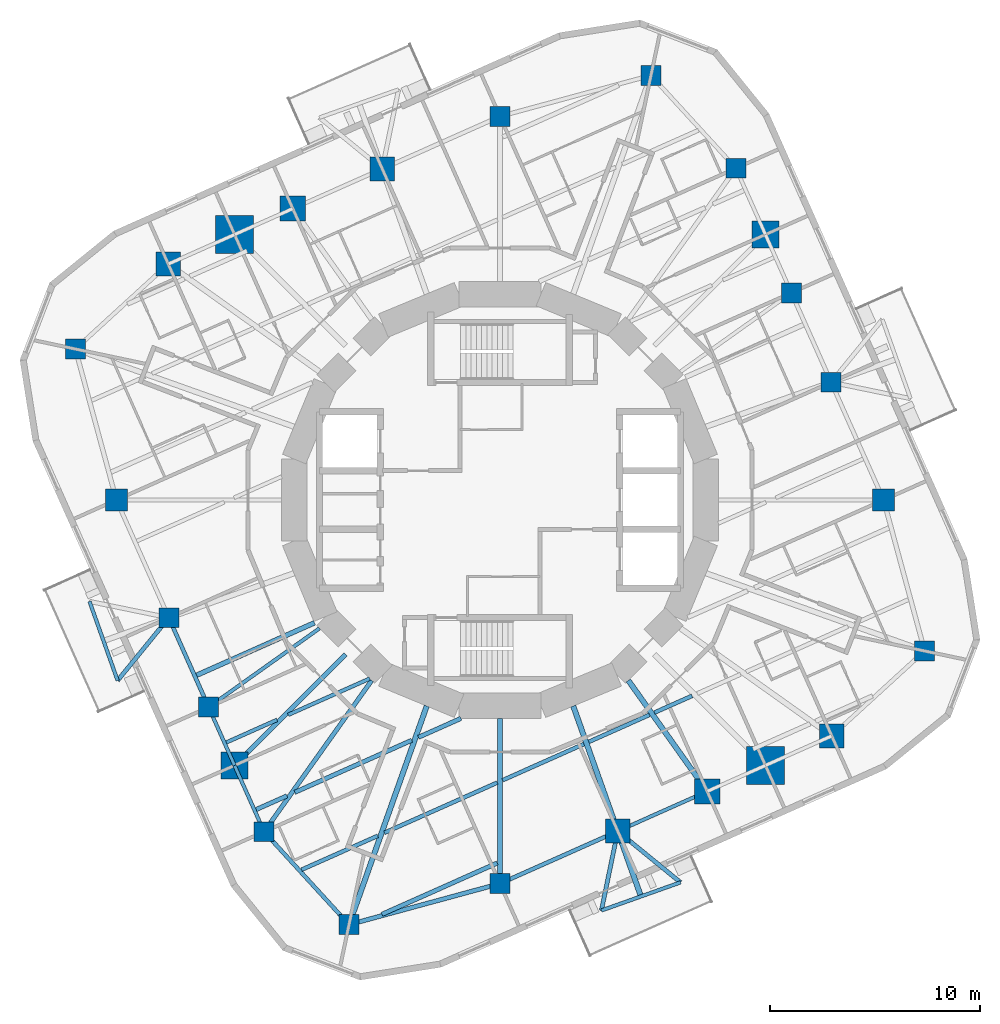
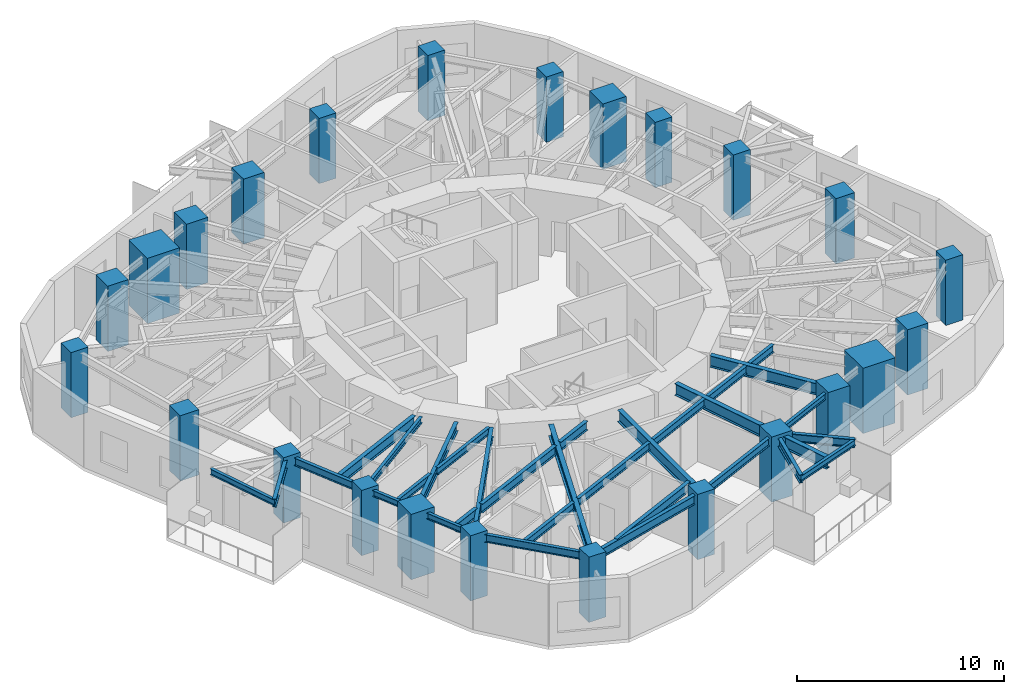
# One storey, part 1 of 12: 31 beams, 24 columns.
"""IFC4 building model written with IfcOpenShell, lengths in metres."""

from ifc_helpers import new_model, si_unit, direction, frame, origin, origin_2d, place, context, subcontext, project, spatial, rectangle, i_section, extrude, material, material_profile, profile_set, type_object, element, save


model = new_model("IFC4")

# Units and contexts
model_context = context("Model", 3, precision=1e-05, world=origin(), true_north=direction((0.0, 1.0)))
body_context = subcontext(model_context, "Body", "Model", "MODEL_VIEW")
ifc_project = project(units=[si_unit("LENGTHUNIT", "METRE"), si_unit("AREAUNIT", "SQUARE_METRE"), si_unit("VOLUMEUNIT", "CUBIC_METRE"), si_unit("PLANEANGLEUNIT", "RADIAN"), si_unit("MASSUNIT", "GRAM", prefix="KILO")], contexts=[model_context])

# Site, building, storey
site_placement = place(None, origin())
site = spatial("IfcSite", under=ifc_project, at=site_placement, CompositionType="ELEMENT")
building_placement = place(site_placement, origin())
building = spatial("IfcBuilding", under=site, at=building_placement, Name="Nakasero Lantern House", CompositionType="ELEMENT")
storey_placement = place(building_placement, frame((0.0, 0.0, 186.300048828125)))
storey = spatial("IfcBuildingStorey", under=building, at=storey_placement, Name="L45", CompositionType="ELEMENT", Elevation=186.300048828125)

# Columns
ifc_material_1 = material(Name="Concrete C45/55", Category="concrete")
ifc_material_profile_1 = material_profile(ifc_material_1, rectangle(XDim=1.300048828125, YDim=1.300048828125, at=origin_2d()), Name="RC 1300x1300")
ifc_profile_set_1 = profile_set([ifc_material_profile_1], Name="Concrete C45/55")
column_type_1 = type_object("IfcColumnType", Name="Mega column RC 1300x1300 C45/55", PredefinedType="COLUMN", material=ifc_profile_set_1)
for number, where, z_axis, x_axis, name in (
    (1, (12.64892578125, 12.64892578125, 0.0), (0.0, 0.0, 1.0), (1.0, 0.0, 0.0), "Column B5-C06 L45"),
    (2, (-12.64892578125, -12.64892578125, 0.0), (0.0, 0.0, 1.0), (1.0, 0.0, 0.0), "Column B5-C18 L45"),
):
    element("IfcColumn", number, at=place(storey_placement, frame(where, z_axis=z_axis, x_axis=x_axis)), inside=storey, type_object=column_type_1, Name=name, PredefinedType="COLUMN", context=body_context, shape_type="SweptSolid", body=[
        extrude(rectangle(XDim=1.300048828125, YDim=1.300048828125, at=origin_2d()), origin(), (0.0, 0.0, 1.0), 3.849853515625),
    ])
ifc_material_2 = material(Name="Concrete C45/55", Category="concrete")
ifc_material_profile_2 = material_profile(ifc_material_2, rectangle(XDim=1.800048828125, YDim=1.800048828125, at=origin_2d()), Name="RC 1800x1800")
ifc_profile_set_2 = profile_set([ifc_material_profile_2], Name="Concrete C45/55")
column_type_2 = type_object("IfcColumnType", Name="Mega column RC 1800x1800 C45/55", PredefinedType="COLUMN", material=ifc_profile_set_2)
for number, where, z_axis, x_axis, name in (
    (3, (-12.64892578125, 12.64892578125, 0.0), (0.0, 0.0, 1.0), (1.0, 0.0, 0.0), "Column B5-C12 L45"),
    (4, (12.64892578125, -12.64892578125, 0.0), (0.0, 0.0, 1.0), (1.0, 0.0, 0.0), "Column B5-C24 L45"),
):
    element("IfcColumn", number, at=place(storey_placement, frame(where, z_axis=z_axis, x_axis=x_axis)), inside=storey, type_object=column_type_2, Name=name, PredefinedType="COLUMN", context=body_context, shape_type="SweptSolid", body=[
        extrude(rectangle(XDim=1.800048828125, YDim=1.800048828125, at=origin_2d()), origin(), (0.0, 0.0, 1.0), 3.849853515625),
    ])
ifc_material_3 = material(Name="Concrete C45/55", Category="concrete")
ifc_material_profile_3 = material_profile(ifc_material_3, rectangle(XDim=1.050048828125, YDim=1.050048828125, at=origin_2d()), Name="RC 1050x1050")
ifc_profile_set_3 = profile_set([ifc_material_profile_3], Name="Concrete C45/55")
column_type_3 = type_object("IfcColumnType", Name="Ring column RC 1050x1050 C45/55", PredefinedType="COLUMN", material=ifc_profile_set_3)
for number, where, z_axis, x_axis, name in (
    (5, (18.280517578125, 0.0, 0.0), (0.0, 0.0, 1.0), (1.0, 0.0, 0.0), "Column B5-C03 L45"),
    (6, (-18.280517578125, 0.0, 0.0), (0.0, 0.0, 1.0), (1.0, 0.0, 0.0), "Column B5-C15 L45"),
):
    element("IfcColumn", number, at=place(storey_placement, frame(where, z_axis=z_axis, x_axis=x_axis)), inside=storey, type_object=column_type_3, Name=name, PredefinedType="COLUMN", context=body_context, shape_type="SweptSolid", body=[
        extrude(rectangle(XDim=1.050048828125, YDim=1.050048828125, at=origin_2d()), origin(), (0.0, 0.0, 1.0), 3.849853515625),
    ])
ifc_material_4 = material(Name="Concrete C45/55", Category="concrete")
ifc_material_profile_4 = material_profile(ifc_material_4, rectangle(XDim=1.14990234375, YDim=1.14990234375, at=origin_2d()), Name="RC 1150x1150")
ifc_profile_set_4 = profile_set([ifc_material_profile_4], Name="Concrete C45/55")
column_type_4 = type_object("IfcColumnType", Name="Ring column RC 1150x1150 C45/55", PredefinedType="COLUMN", material=ifc_profile_set_4)
for number, where, z_axis, x_axis, name in (
    (7, (15.808837890625, -11.241943359375, 0.0), (0.0, 0.0, 1.0), (1.0, 0.0, 0.0), "Column B5-C01 L45"),
    (8, (-5.611328125, 15.781982421875, 0.0), (0.0, 0.0, 1.0), (1.0, 0.0, 0.0), "Column B5-C10 L45"),
    (9, (-15.808837890625, 11.241943359375, 0.0), (0.0, 0.0, 1.0), (1.0, 0.0, 0.0), "Column B5-C13 L45"),
    (10, (5.611328125, -15.781982421875, 0.0), (0.0, 0.0, 1.0), (1.0, 0.0, 0.0), "Column B5-C22 L45"),
):
    element("IfcColumn", number, at=place(storey_placement, frame(where, z_axis=z_axis, x_axis=x_axis)), inside=storey, type_object=column_type_4, Name=name, PredefinedType="COLUMN", context=body_context, shape_type="SweptSolid", body=[
        extrude(rectangle(XDim=1.14990234375, YDim=1.14990234375, at=origin_2d()), origin(), (0.0, 0.0, 1.0), 3.849853515625),
    ])
ifc_material_5 = material(Name="Concrete C45/55", Category="concrete")
ifc_material_profile_5 = material_profile(ifc_material_5, rectangle(XDim=1.199951171875, YDim=1.199951171875, at=origin_2d()), Name="RC 1200x1200")
ifc_profile_set_5 = profile_set([ifc_material_profile_5], Name="Concrete C45/55")
column_type_5 = type_object("IfcColumnType", Name="Ring column RC 1200x1200 C45/55", PredefinedType="COLUMN", material=ifc_profile_set_5)
for number, where, z_axis, x_axis, name in (
    (11, (-9.87353515625, 13.884521484375, 0.0), (0.0, 0.0, 1.0), (1.0, 0.0, 0.0), "Column B5-C11 L45"),
    (12, (9.87353515625, -13.884521484375, 0.0), (0.0, 0.0, 1.0), (1.0, 0.0, 0.0), "Column B5-C23 L45"),
):
    element("IfcColumn", number, at=place(storey_placement, frame(where, z_axis=z_axis, x_axis=x_axis)), inside=storey, type_object=column_type_5, Name=name, PredefinedType="COLUMN", context=body_context, shape_type="SweptSolid", body=[
        extrude(rectangle(XDim=1.199951171875, YDim=1.199951171875, at=origin_2d()), origin(), (0.0, 0.0, 1.0), 3.849853515625),
    ])
ifc_material_6 = material(Name="Concrete C45/55", Category="concrete")
ifc_material_profile_6 = material_profile(ifc_material_6, rectangle(XDim=0.949951171875, YDim=0.949951171875, at=origin_2d()), Name="RC 950x950")
ifc_profile_set_6 = profile_set([ifc_material_profile_6], Name="Concrete C45/55")
column_type_6 = type_object("IfcColumnType", Name="Ring column RC 950x950 C45/55", PredefinedType="COLUMN", material=ifc_profile_set_6)
for number, where, z_axis, x_axis, name in (
    (13, (20.2353515625, -7.19482421875, 0.0), (0.0, 0.0, 1.0), (1.0, 0.0, 0.0), "Column B5-C02 L45"),
    (14, (15.781982421875, 5.611328125, 0.0), (0.0, 0.0, 1.0), (1.0, 0.0, 0.0), "Column B5-C04 L45"),
    (15, (13.884521484375, 9.87353515625, 0.0), (0.0, 0.0, 1.0), (1.0, 0.0, 0.0), "Column B5-C05 L45"),
    (16, (11.241943359375, 15.808837890625, 0.0), (0.0, 0.0, 1.0), (1.0, 0.0, 0.0), "Column B5-C07 L45"),
    (17, (7.19482421875, 20.2353515625, 0.0), (0.0, 0.0, 1.0), (1.0, 0.0, 0.0), "Column B5-C08 L45"),
    (18, (0.0, 18.280517578125, 0.0), (0.0, 0.0, 1.0), (1.0, 0.0, 0.0), "Column B5-C09 L45"),
    (19, (-20.2353515625, 7.19482421875, 0.0), (0.0, 0.0, 1.0), (1.0, 0.0, 0.0), "Column B5-C14 L45"),
    (20, (-15.781982421875, -5.611328125, 0.0), (0.0, 0.0, 1.0), (1.0, 0.0, 0.0), "Column B5-C16 L45"),
    (21, (-13.884521484375, -9.87353515625, 0.0), (0.0, 0.0, 1.0), (1.0, 0.0, 0.0), "Column B5-C17 L45"),
    (22, (-11.241943359375, -15.808837890625, 0.0), (0.0, 0.0, 1.0), (1.0, 0.0, 0.0), "Column B5-C19 L45"),
    (23, (-7.19482421875, -20.2353515625, 0.0), (0.0, 0.0, 1.0), (1.0, 0.0, 0.0), "Column B5-C20 L45"),
    (24, (0.0, -18.280517578125, 0.0), (0.0, 0.0, 1.0), (1.0, 0.0, 0.0), "Column B5-C21 L45"),
):
    element("IfcColumn", number, at=place(storey_placement, frame(where, z_axis=z_axis, x_axis=x_axis)), inside=storey, type_object=column_type_6, Name=name, PredefinedType="COLUMN", context=body_context, shape_type="SweptSolid", body=[
        extrude(rectangle(XDim=0.949951171875, YDim=0.949951171875, at=origin_2d()), origin(), (0.0, 0.0, 1.0), 3.849853515625),
    ])

# Beams
ifc_material_7 = material(Name="Steel S355", Category="steel")
ifc_material_profile_7 = material_profile(ifc_material_7, i_section(OverallWidth=0.199462890625, OverallDepth=0.491943359375, WebThickness=0.01806640625, FlangeThickness=0.031982421875, FilletRadius=0.01025390625, at=origin_2d()), Name="UB 457x191x161")
ifc_profile_set_7 = profile_set([ifc_material_profile_7], Name="Steel S355")
beam_type_1 = type_object("IfcBeamType", Name="Balcony splay beam UB 457x191x161", PredefinedType="BEAM", material=ifc_profile_set_7)
for number, where, z_axis, x_axis, name in (
    (25, (-15.781982421875, -5.611328125, 3.404052734375), (-0.632165712937, -0.774833215206, 0.0), (0.774833215206, -0.632165712937, 0.0), "Balcony splay beam L46 B5-C16A"),
    (26, (5.611328125, -15.781982421875, 3.404052734375), (0.774833215206, -0.632165712937, 0.0), (0.632165712937, 0.774833215206, 0.0), "Balcony splay beam L46 B5-C22A"),
):
    element("IfcBeam", number, at=place(storey_placement, frame(where, z_axis=z_axis, x_axis=x_axis)), inside=storey, type_object=beam_type_1, Name=name, PredefinedType="BEAM", context=body_context, shape_type="SweptSolid", body=[
        extrude(i_section(OverallWidth=0.199462890625, OverallDepth=0.491943359375, WebThickness=0.01806640625, FlangeThickness=0.031982421875, FilletRadius=0.01025390625, at=origin_2d()), origin(), (0.0, 0.0, 1.0), 3.85888671875),
    ])
beam_1_placement = place(storey_placement, frame((5.611328125, -15.781982421875, 3.404052734375), z_axis=(-0.201831438605, -0.979420272605, 0.0), x_axis=(0.979420272605, -0.201831438605, 0.0)))
element("IfcBeam", 27, at=beam_1_placement, inside=storey, type_object=beam_type_1, Name="Balcony splay beam L46 B5-C22B", PredefinedType="BEAM", context=body_context, shape_type="SweptSolid", body=[
    extrude(i_section(OverallWidth=0.199462890625, OverallDepth=0.491943359375, WebThickness=0.01806640625, FlangeThickness=0.031982421875, FilletRadius=0.01025390625, at=origin_2d()), origin(), (0.0, 0.0, 1.0), 3.858642578125),
])
ifc_material_8 = material(Name="Steel S355", Category="steel")
ifc_material_profile_8 = material_profile(ifc_material_8, i_section(OverallWidth=0.17138671875, OverallDepth=0.35498046875, WebThickness=0.00732421875, FlangeThickness=0.011474609375, FilletRadius=0.01025390625, at=origin_2d()), Name="UB 356x171x51")
ifc_profile_set_8 = profile_set([ifc_material_profile_8], Name="Steel S355")
beam_type_2 = type_object("IfcBeamType", Name="Balcony tie beam UB 356x171x51", PredefinedType="BEAM", material=ifc_profile_set_8)
for number, where, z_axis, x_axis, name in (
    (28, (-18.221435546875, -8.601318359375, 3.472412109375), (-0.334971134582, 0.94222839004, 0.0), (-0.94222839004, -0.334971134582, 0.0), "Balcony tie beam L46 B5-C16"),
    (29, (8.601318359375, -18.221435546875, 3.472412109375), (-0.94222839004, -0.334971134582, 0.0), (0.334971134582, -0.94222839004, 0.0), "Balcony tie beam L46 B5-C22"),
):
    element("IfcBeam", number, at=place(storey_placement, frame(where, z_axis=z_axis, x_axis=x_axis)), inside=storey, type_object=beam_type_2, Name=name, PredefinedType="BEAM", context=body_context, shape_type="SweptSolid", body=[
        extrude(i_section(OverallWidth=0.17138671875, OverallDepth=0.35498046875, WebThickness=0.00732421875, FlangeThickness=0.011474609375, FilletRadius=0.01025390625, at=origin_2d()), origin(), (0.0, 0.0, 1.0), 4.0),
    ])
ifc_material_9 = material(Name="Steel S355", Category="steel")
ifc_material_profile_9 = material_profile(ifc_material_9, i_section(OverallWidth=0.177978515625, OverallDepth=0.406494140625, WebThickness=0.0078125, FlangeThickness=0.0126953125, FilletRadius=0.01025390625, at=origin_2d()), Name="UB 406x178x60")
ifc_profile_set_9 = profile_set([ifc_material_profile_9], Name="Steel S355")
beam_type_3 = type_object("IfcBeamType", Name="Infill beam UB 406x178x60", PredefinedType="JOIST", material=ifc_profile_set_9)
beam_2_placement = place(storey_placement, frame((-13.04248046875, -11.5537109375, 3.44677734375), z_axis=(0.913529602849, 0.406772251658, 0.0), x_axis=(-0.406772251658, 0.913529602849, 0.0)))
element("IfcBeam", 30, at=beam_2_placement, inside=storey, type_object=beam_type_3, Name="Infill beam L46 06.1", PredefinedType="JOIST", context=body_context, shape_type="SweptSolid", body=[
    extrude(i_section(OverallWidth=0.177978515625, OverallDepth=0.406494140625, WebThickness=0.0078125, FlangeThickness=0.0126953125, FilletRadius=0.01025390625, at=origin_2d()), origin(), (0.0, 0.0, 1.0), 2.64453125),
])
beam_3_placement = place(storey_placement, frame((-10.09130859375, -10.23974609375, 3.44677734375), z_axis=(0.91354134882, 0.406745871517, 0.0), x_axis=(-0.406745871517, 0.91354134882, 0.0)))
element("IfcBeam", 31, at=beam_3_placement, inside=storey, type_object=beam_type_3, Name="Infill beam L46 06.2", PredefinedType="JOIST", context=body_context, shape_type="SweptSolid", body=[
    extrude(i_section(OverallWidth=0.177978515625, OverallDepth=0.406494140625, WebThickness=0.0078125, FlangeThickness=0.0126953125, FilletRadius=0.01025390625, at=origin_2d()), origin(), (0.0, 0.0, 1.0), 4.250732421875),
])
ifc_material_10 = material(Name="Steel S355", Category="steel")
ifc_material_profile_10 = material_profile(ifc_material_10, i_section(OverallWidth=0.18994140625, OverallDepth=0.453369140625, WebThickness=0.008544921875, FlangeThickness=0.0126953125, FilletRadius=0.01025390625, at=origin_2d()), Name="UB 457x191x67")
ifc_profile_set_10 = profile_set([ifc_material_profile_10], Name="Steel S355")
beam_type_4 = type_object("IfcBeamType", Name="Infill beam UB 457x191x67", PredefinedType="JOIST", material=ifc_profile_set_10)
beam_4_placement = place(storey_placement, frame((-9.457275390625, -17.619873046875, 3.42333984375), z_axis=(0.91354552237, 0.406736497695, 0.0), x_axis=(-0.406736497695, 0.91354552237, 0.0)))
element("IfcBeam", 32, at=beam_4_placement, inside=storey, type_object=beam_type_4, Name="Infill beam L46 04.1", PredefinedType="JOIST", context=body_context, shape_type="SweptSolid", body=[
    extrude(i_section(OverallWidth=0.18994140625, OverallDepth=0.453369140625, WebThickness=0.008544921875, FlangeThickness=0.0126953125, FilletRadius=0.01025390625, at=origin_2d()), origin(), (0.0, 0.0, 1.0), 3.9765625),
])
beam_5_placement = place(storey_placement, frame((-5.50439453125, -15.860107421875, 3.42333984375), z_axis=(0.913539401307, 0.406750245556, 0.0), x_axis=(-0.406750245556, 0.913539401307, 0.0)))
element("IfcBeam", 33, at=beam_5_placement, inside=storey, type_object=beam_type_4, Name="Infill beam L46 04.2", PredefinedType="JOIST", context=body_context, shape_type="SweptSolid", body=[
    extrude(i_section(OverallWidth=0.18994140625, OverallDepth=0.453369140625, WebThickness=0.008544921875, FlangeThickness=0.0126953125, FilletRadius=0.01025390625, at=origin_2d()), origin(), (0.0, 0.0, 1.0), 5.886474609375),
])
beam_6_placement = place(storey_placement, frame((0.126953125, -13.352783203125, 3.42333984375), z_axis=(0.913552455182, 0.40672092598, 0.0), x_axis=(-0.40672092598, 0.913552455182, 0.0)))
element("IfcBeam", 34, at=beam_6_placement, inside=storey, type_object=beam_type_4, Name="Infill beam L46 04.3", PredefinedType="JOIST", context=body_context, shape_type="SweptSolid", body=[
    extrude(i_section(OverallWidth=0.18994140625, OverallDepth=0.453369140625, WebThickness=0.008544921875, FlangeThickness=0.0126953125, FilletRadius=0.01025390625, at=origin_2d()), origin(), (0.0, 0.0, 1.0), 4.238525390625),
])
beam_7_placement = place(storey_placement, frame((4.2333984375, -11.5244140625, 3.42333984375), z_axis=(0.913544106346, 0.406739678123, 0.0), x_axis=(-0.406739678123, 0.913544106346, 0.0)))
element("IfcBeam", 35, at=beam_7_placement, inside=storey, type_object=beam_type_4, Name="Infill beam L46 04.4", PredefinedType="JOIST", context=body_context, shape_type="SweptSolid", body=[
    extrude(i_section(OverallWidth=0.18994140625, OverallDepth=0.453369140625, WebThickness=0.008544921875, FlangeThickness=0.0126953125, FilletRadius=0.01025390625, at=origin_2d()), origin(), (0.0, 0.0, 1.0), 3.16455078125),
])
beam_8_placement = place(storey_placement, frame((7.360595703125, -10.132080078125, 3.42333984375), z_axis=(0.913539401307, 0.406750245556, 0.0), x_axis=(-0.406750245556, 0.913539401307, 0.0)))
element("IfcBeam", 36, at=beam_8_placement, inside=storey, type_object=beam_type_4, Name="Infill beam L46 04.5", PredefinedType="JOIST", context=body_context, shape_type="SweptSolid", body=[
    extrude(i_section(OverallWidth=0.18994140625, OverallDepth=0.453369140625, WebThickness=0.008544921875, FlangeThickness=0.0126953125, FilletRadius=0.01025390625, at=origin_2d()), origin(), (0.0, 0.0, 1.0), 1.962158203125),
])
ifc_material_11 = material(Name="Steel S355", Category="steel")
ifc_material_profile_11 = material_profile(ifc_material_11, i_section(OverallWidth=0.2099609375, OverallDepth=0.53662109375, WebThickness=0.0107421875, FlangeThickness=0.017333984375, FilletRadius=0.0126953125, at=origin_2d()), Name="UB 533x210x101")
ifc_profile_set_11 = profile_set([ifc_material_profile_11], Name="Steel S355")
beam_type_5 = type_object("IfcBeamType", Name="Infill beam UB 533x210x101", PredefinedType="JOIST", material=ifc_profile_set_11)
beam_9_placement = place(storey_placement, frame((-5.626708984375, -19.745849609375, 3.381591796875), z_axis=(0.913540433669, 0.406747926919, 0.0), x_axis=(-0.406747926919, 0.913540433669, 0.0)))
element("IfcBeam", 37, at=beam_9_placement, inside=storey, type_object=beam_type_5, Name="Infill beam L46 03.1", PredefinedType="JOIST", context=body_context, shape_type="SweptSolid", body=[
    extrude(i_section(OverallWidth=0.2099609375, OverallDepth=0.53662109375, WebThickness=0.0107421875, FlangeThickness=0.017333984375, FilletRadius=0.0126953125, at=origin_2d()), origin(), (0.0, 0.0, 1.0), 6.020263671875),
])
ifc_material_12 = material(Name="Steel S355", Category="steel")
ifc_material_profile_12 = material_profile(ifc_material_12, i_section(OverallWidth=0.208740234375, OverallDepth=0.5283203125, WebThickness=0.009521484375, FlangeThickness=0.01318359375, FilletRadius=0.0126953125, at=origin_2d()), Name="UB 533x210x82")
ifc_profile_set_12 = profile_set([ifc_material_profile_12], Name="Steel S355")
beam_type_6 = type_object("IfcBeamType", Name="Infill beam UB 533x210x82", PredefinedType="JOIST", material=ifc_profile_set_12)
beam_10_placement = place(storey_placement, frame((-11.618896484375, -14.751220703125, 3.3857421875), z_axis=(0.913522313414, 0.406788621884, 0.0), x_axis=(-0.406788621884, 0.913522313414, 0.0)))
element("IfcBeam", 38, at=beam_10_placement, inside=storey, type_object=beam_type_6, Name="Infill beam L46 05.1", PredefinedType="JOIST", context=body_context, shape_type="SweptSolid", body=[
    extrude(i_section(OverallWidth=0.208740234375, OverallDepth=0.5283203125, WebThickness=0.009521484375, FlangeThickness=0.01318359375, FilletRadius=0.0126953125, at=origin_2d()), origin(), (0.0, 0.0, 1.0), 1.6025390625),
])
beam_11_placement = place(storey_placement, frame((-9.778076171875, -13.931640625, 3.3857421875), z_axis=(0.913537341067, 0.406754872713, 0.0), x_axis=(-0.406754872713, 0.913537341067, 0.0)))
element("IfcBeam", 39, at=beam_11_placement, inside=storey, type_object=beam_type_6, Name="Infill beam L46 05.2", PredefinedType="JOIST", context=body_context, shape_type="SweptSolid", body=[
    extrude(i_section(OverallWidth=0.208740234375, OverallDepth=0.5283203125, WebThickness=0.009521484375, FlangeThickness=0.01318359375, FilletRadius=0.0126953125, at=origin_2d()), origin(), (0.0, 0.0, 1.0), 6.099365234375),
])
beam_12_placement = place(storey_placement, frame((-3.885986328125, -11.308349609375, 3.3857421875), z_axis=(0.913538457968, 0.406752364238, 0.0), x_axis=(-0.406752364238, 0.913538457968, 0.0)))
element("IfcBeam", 40, at=beam_12_placement, inside=storey, type_object=beam_type_6, Name="Infill beam L46 05.3", PredefinedType="JOIST", context=body_context, shape_type="SweptSolid", body=[
    extrude(i_section(OverallWidth=0.208740234375, OverallDepth=0.5283203125, WebThickness=0.009521484375, FlangeThickness=0.01318359375, FilletRadius=0.0126953125, at=origin_2d()), origin(), (0.0, 0.0, 1.0), 2.213623046875),
])
ifc_material_13 = material(Name="Steel S355", Category="steel")
ifc_material_profile_13 = material_profile(ifc_material_13, i_section(OverallWidth=0.22900390625, OverallDepth=0.6123046875, WebThickness=0.011962890625, FlangeThickness=0.01953125, FilletRadius=0.0126953125, at=origin_2d()), Name="UB 610x229x125")
ifc_profile_set_13 = profile_set([ifc_material_profile_13], Name="Steel S355")
beam_type_7 = type_object("IfcBeamType", Name="Infill beam UB 610x229x125", PredefinedType="JOIST", material=ifc_profile_set_13)
beam_13_placement = place(storey_placement, frame((-14.457763671875, -8.3525390625, 3.34375), z_axis=(0.913552627294, 0.406720539393, 0.0), x_axis=(-0.406720539393, 0.913552627294, 0.0)))
element("IfcBeam", 41, at=beam_13_placement, inside=storey, type_object=beam_type_7, Name="Infill beam L46 07.1", PredefinedType="JOIST", context=body_context, shape_type="SweptSolid", body=[
    extrude(i_section(OverallWidth=0.22900390625, OverallDepth=0.6123046875, WebThickness=0.011962890625, FlangeThickness=0.01953125, FilletRadius=0.0126953125, at=origin_2d()), origin(), (0.0, 0.0, 1.0), 6.14794921875),
])
ifc_material_14 = material(Name="Steel S355", Category="steel")
ifc_material_profile_14 = material_profile(ifc_material_14, i_section(OverallWidth=0.17138671875, OverallDepth=0.35498046875, WebThickness=0.00732421875, FlangeThickness=0.011474609375, FilletRadius=0.01025390625, at=origin_2d()), Name="UB 356x171x51")
ifc_profile_set_14 = profile_set([ifc_material_profile_14], Name="Steel S355")
beam_type_8 = type_object("IfcBeamType", Name="Primary beam UB 356x171x51, span 6 to 9 m", PredefinedType="BEAM", material=ifc_profile_set_14)
beam_14_placement = place(storey_placement, frame((-13.884521484375, -9.87353515625, 3.472412109375), z_axis=(0.8149430702, 0.57954101868, 0.0), x_axis=(-0.57954101868, 0.8149430702, 0.0)))
element("IfcBeam", 42, at=beam_14_placement, inside=storey, type_object=beam_type_8, Name="Primary beam L46 B5-C17", PredefinedType="BEAM", context=body_context, shape_type="SweptSolid", body=[
    extrude(i_section(OverallWidth=0.17138671875, OverallDepth=0.35498046875, WebThickness=0.00732421875, FlangeThickness=0.011474609375, FilletRadius=0.01025390625, at=origin_2d()), origin(), (0.0, 0.0, 1.0), 6.48193359375),
])
ifc_material_15 = material(Name="Steel S355", Category="steel")
ifc_material_profile_15 = material_profile(ifc_material_15, i_section(OverallWidth=0.2099609375, OverallDepth=0.53662109375, WebThickness=0.0107421875, FlangeThickness=0.017333984375, FilletRadius=0.0126953125, at=origin_2d()), Name="UB 533x210x101")
ifc_profile_set_15 = profile_set([ifc_material_profile_15], Name="Steel S355")
beam_type_9 = type_object("IfcBeamType", Name="Primary beam UB 533x210x101, span 6 to 9 m", PredefinedType="BEAM", material=ifc_profile_set_15)
beam_15_placement = place(storey_placement, frame((-12.64892578125, -12.64892578125, 3.381591796875), z_axis=(0.707106781187, 0.707106781187, 0.0), x_axis=(-0.707106781187, 0.707106781187, 0.0)))
element("IfcBeam", 43, at=beam_15_placement, inside=storey, type_object=beam_type_9, Name="Primary beam L46 B5-C18", PredefinedType="BEAM", context=body_context, shape_type="SweptSolid", body=[
    extrude(i_section(OverallWidth=0.2099609375, OverallDepth=0.53662109375, WebThickness=0.0107421875, FlangeThickness=0.017333984375, FilletRadius=0.0126953125, at=origin_2d()), origin(), (0.0, 0.0, 1.0), 7.48046875),
])
beam_16_placement = place(storey_placement, frame((-11.241943359375, -15.808837890625, 3.381591796875), z_axis=(0.579536824926, 0.814946052543, 0.0), x_axis=(-0.814946052543, 0.579536824926, 0.0)))
element("IfcBeam", 44, at=beam_16_placement, inside=storey, type_object=beam_type_9, Name="Primary beam L46 B5-C19", PredefinedType="BEAM", context=body_context, shape_type="SweptSolid", body=[
    extrude(i_section(OverallWidth=0.2099609375, OverallDepth=0.53662109375, WebThickness=0.0107421875, FlangeThickness=0.017333984375, FilletRadius=0.0126953125, at=origin_2d()), origin(), (0.0, 0.0, 1.0), 8.84326171875),
])
ifc_material_16 = material(Name="Steel S355", Category="steel")
ifc_material_profile_16 = material_profile(ifc_material_16, i_section(OverallWidth=0.253662109375, OverallDepth=0.68359375, WebThickness=0.012451171875, FlangeThickness=0.01904296875, FilletRadius=0.01513671875, at=origin_2d()), Name="UB 686x254x140")
ifc_profile_set_16 = profile_set([ifc_material_profile_16], Name="Steel S355")
beam_type_10 = type_object("IfcBeamType", Name="Primary beam UB 686x254x140, span 6 to 9 m", PredefinedType="BEAM", material=ifc_profile_set_16)
beam_17_placement = place(storey_placement, frame((0.0, -18.280517578125, 3.30810546875), z_axis=(0.0, 1.0, 0.0), x_axis=(-1.0, 0.0, 0.0)))
element("IfcBeam", 45, at=beam_17_placement, inside=storey, type_object=beam_type_10, Name="Primary beam L46 B5-C21", PredefinedType="BEAM", context=body_context, shape_type="SweptSolid", body=[
    extrude(i_section(OverallWidth=0.253662109375, OverallDepth=0.68359375, WebThickness=0.012451171875, FlangeThickness=0.01904296875, FilletRadius=0.01513671875, at=origin_2d()), origin(), (0.0, 0.0, 1.0), 7.87255859375),
])
beam_18_placement = place(storey_placement, frame((9.87353515625, -13.884521484375, 3.30810546875), z_axis=(-0.57954101868, 0.8149430702, 0.0), x_axis=(-0.8149430702, -0.57954101868, 0.0)))
element("IfcBeam", 46, at=beam_18_placement, inside=storey, type_object=beam_type_10, Name="Primary beam L46 B5-C23", PredefinedType="BEAM", context=body_context, shape_type="SweptSolid", body=[
    extrude(i_section(OverallWidth=0.253662109375, OverallDepth=0.68359375, WebThickness=0.012451171875, FlangeThickness=0.01904296875, FilletRadius=0.01513671875, at=origin_2d()), origin(), (0.0, 0.0, 1.0), 6.48193359375),
])
ifc_material_17 = material(Name="Steel S355", Category="steel")
ifc_material_profile_17 = material_profile(ifc_material_17, i_section(OverallWidth=0.253662109375, OverallDepth=0.68359375, WebThickness=0.012451171875, FlangeThickness=0.01904296875, FilletRadius=0.01513671875, at=origin_2d()), Name="UB 686x254x140")
ifc_profile_set_17 = profile_set([ifc_material_profile_17], Name="Steel S355")
beam_type_11 = type_object("IfcBeamType", Name="Primary beam UB 686x254x140, span 9 to 12 m", PredefinedType="BEAM", material=ifc_profile_set_17)
beam_19_placement = place(storey_placement, frame((-7.19482421875, -20.2353515625, 3.30810546875), z_axis=(0.335020995468, 0.942210662535, 0.0), x_axis=(-0.942210662535, 0.335020995468, 0.0)))
element("IfcBeam", 47, at=beam_19_placement, inside=storey, type_object=beam_type_11, Name="Primary beam L46 B5-C20", PredefinedType="BEAM", context=body_context, shape_type="SweptSolid", body=[
    extrude(i_section(OverallWidth=0.253662109375, OverallDepth=0.68359375, WebThickness=0.012451171875, FlangeThickness=0.01904296875, FilletRadius=0.01513671875, at=origin_2d()), origin(), (0.0, 0.0, 1.0), 11.054931640625),
])
ifc_material_18 = material(Name="Steel S355", Category="steel")
ifc_material_profile_18 = material_profile(ifc_material_18, i_section(OverallWidth=0.255859375, OverallDepth=0.69287109375, WebThickness=0.014404296875, FlangeThickness=0.023681640625, FilletRadius=0.01513671875, at=origin_2d()), Name="UB 686x254x170")
ifc_profile_set_18 = profile_set([ifc_material_profile_18], Name="Steel S355")
beam_type_12 = type_object("IfcBeamType", Name="Primary beam UB 686x254x170, span 6 to 9 m", PredefinedType="BEAM", material=ifc_profile_set_18)
beam_20_placement = place(storey_placement, frame((6.717041015625, -18.891357421875, 3.303466796875), z_axis=(-0.335030177005, 0.942207397814, 0.0), x_axis=(-0.942207397814, -0.335030177005, 0.0)))
element("IfcBeam", 48, at=beam_20_placement, inside=storey, type_object=beam_type_12, Name="Primary beam L46 B5-C22", PredefinedType="BEAM", context=body_context, shape_type="SweptSolid", body=[
    extrude(i_section(OverallWidth=0.255859375, OverallDepth=0.69287109375, WebThickness=0.014404296875, FlangeThickness=0.023681640625, FilletRadius=0.01513671875, at=origin_2d()), origin(), (0.0, 0.0, 1.0), 9.62841796875),
])
ifc_material_19 = material(Name="Steel S355", Category="steel")
ifc_material_profile_19 = material_profile(ifc_material_19, i_section(OverallWidth=0.17138671875, OverallDepth=0.35498046875, WebThickness=0.00732421875, FlangeThickness=0.011474609375, FilletRadius=0.01025390625, at=origin_2d()), Name="UB 356x171x51")
ifc_profile_set_19 = profile_set([ifc_material_profile_19], Name="Steel S355")
beam_type_13 = type_object("IfcBeamType", Name="Ring beam UB 356x171x51", PredefinedType="BEAM", material=ifc_profile_set_19)
beam_21_placement = place(storey_placement, frame((-13.884521484375, -9.87353515625, 3.472412109375), z_axis=(0.40671251915, -0.913556197925, 0.0), x_axis=(0.913556197925, 0.40671251915, 0.0)))
element("IfcBeam", 49, at=beam_21_placement, inside=storey, type_object=beam_type_13, Name="Ring beam L46 B5-C17", PredefinedType="BEAM", context=body_context, shape_type="SweptSolid", body=[
    extrude(i_section(OverallWidth=0.17138671875, OverallDepth=0.35498046875, WebThickness=0.00732421875, FlangeThickness=0.011474609375, FilletRadius=0.01025390625, at=origin_2d()), origin(), (0.0, 0.0, 1.0), 3.0380859375),
])
beam_22_placement = place(storey_placement, frame((-12.64892578125, -12.64892578125, 3.472412109375), z_axis=(0.406760506795, -0.913534832457, 0.0), x_axis=(0.913534832457, 0.406760506795, 0.0)))
element("IfcBeam", 50, at=beam_22_placement, inside=storey, type_object=beam_type_13, Name="Ring beam L46 B5-C18", PredefinedType="BEAM", context=body_context, shape_type="SweptSolid", body=[
    extrude(i_section(OverallWidth=0.17138671875, OverallDepth=0.35498046875, WebThickness=0.00732421875, FlangeThickness=0.011474609375, FilletRadius=0.01025390625, at=origin_2d()), origin(), (0.0, 0.0, 1.0), 3.458984375),
])
beam_23_placement = place(storey_placement, frame((5.611328125, -15.781982421875, 3.472412109375), z_axis=(0.913561058639, 0.406701600856, 0.0), x_axis=(-0.406701600856, 0.913561058639, 0.0)))
element("IfcBeam", 51, at=beam_23_placement, inside=storey, type_object=beam_type_13, Name="Ring beam L46 B5-C22", PredefinedType="BEAM", context=body_context, shape_type="SweptSolid", body=[
    extrude(i_section(OverallWidth=0.17138671875, OverallDepth=0.35498046875, WebThickness=0.00732421875, FlangeThickness=0.011474609375, FilletRadius=0.01025390625, at=origin_2d()), origin(), (0.0, 0.0, 1.0), 4.66552734375),
])
ifc_material_20 = material(Name="Steel S355", Category="steel")
ifc_material_profile_20 = material_profile(ifc_material_20, i_section(OverallWidth=0.18994140625, OverallDepth=0.453369140625, WebThickness=0.008544921875, FlangeThickness=0.0126953125, FilletRadius=0.01025390625, at=origin_2d()), Name="UB 457x191x67")
ifc_profile_set_20 = profile_set([ifc_material_profile_20], Name="Steel S355")
beam_type_14 = type_object("IfcBeamType", Name="Ring beam UB 457x191x67", PredefinedType="BEAM", material=ifc_profile_set_20)
beam_24_placement = place(storey_placement, frame((-15.781982421875, -5.611328125, 3.42333984375), z_axis=(0.406701600856, -0.913561058639, 0.0), x_axis=(0.913561058639, 0.406701600856, 0.0)))
element("IfcBeam", 52, at=beam_24_placement, inside=storey, type_object=beam_type_14, Name="Ring beam L46 B5-C16", PredefinedType="BEAM", context=body_context, shape_type="SweptSolid", body=[
    extrude(i_section(OverallWidth=0.18994140625, OverallDepth=0.453369140625, WebThickness=0.008544921875, FlangeThickness=0.0126953125, FilletRadius=0.01025390625, at=origin_2d()), origin(), (0.0, 0.0, 1.0), 4.66552734375),
])
beam_25_placement = place(storey_placement, frame((-11.241943359375, -15.808837890625, 3.42333984375), z_axis=(0.674771099966, -0.73802707447, 0.0), x_axis=(0.73802707447, 0.674771099966, 0.0)))
element("IfcBeam", 53, at=beam_25_placement, inside=storey, type_object=beam_type_14, Name="Ring beam L46 B5-C19", PredefinedType="BEAM", context=body_context, shape_type="SweptSolid", body=[
    extrude(i_section(OverallWidth=0.18994140625, OverallDepth=0.453369140625, WebThickness=0.008544921875, FlangeThickness=0.0126953125, FilletRadius=0.01025390625, at=origin_2d()), origin(), (0.0, 0.0, 1.0), 5.997802734375),
])
ifc_material_21 = material(Name="Steel S355", Category="steel")
ifc_material_profile_21 = material_profile(ifc_material_21, i_section(OverallWidth=0.19140625, OverallDepth=0.4599609375, WebThickness=0.010009765625, FlangeThickness=0.01611328125, FilletRadius=0.01025390625, at=origin_2d()), Name="UB 457x191x82")
ifc_profile_set_21 = profile_set([ifc_material_profile_21], Name="Steel S355")
beam_type_15 = type_object("IfcBeamType", Name="Ring beam UB 457x191x82", PredefinedType="BEAM", material=ifc_profile_set_21)
beam_26_placement = place(storey_placement, frame((0.0, -18.280517578125, 3.419921875), z_axis=(0.913532698569, 0.406765299215, 0.0), x_axis=(-0.406765299215, 0.913532698569, 0.0)))
element("IfcBeam", 54, at=beam_26_placement, inside=storey, type_object=beam_type_15, Name="Ring beam L46 B5-C21", PredefinedType="BEAM", context=body_context, shape_type="SweptSolid", body=[
    extrude(i_section(OverallWidth=0.19140625, OverallDepth=0.4599609375, WebThickness=0.010009765625, FlangeThickness=0.01611328125, FilletRadius=0.01025390625, at=origin_2d()), origin(), (0.0, 0.0, 1.0), 6.142333984375),
])
ifc_material_22 = material(Name="Steel S355", Category="steel")
ifc_material_profile_22 = material_profile(ifc_material_22, i_section(OverallWidth=0.208740234375, OverallDepth=0.5283203125, WebThickness=0.009521484375, FlangeThickness=0.01318359375, FilletRadius=0.0126953125, at=origin_2d()), Name="UB 533x210x82")
ifc_profile_set_22 = profile_set([ifc_material_profile_22], Name="Steel S355")
beam_type_16 = type_object("IfcBeamType", Name="Ring beam UB 533x210x82", PredefinedType="BEAM", material=ifc_profile_set_22)
beam_27_placement = place(storey_placement, frame((-7.19482421875, -20.2353515625, 3.3857421875), z_axis=(0.965015017941, 0.26219461312, 0.0), x_axis=(-0.26219461312, 0.965015017941, 0.0)))
element("IfcBeam", 55, at=beam_27_placement, inside=storey, type_object=beam_type_16, Name="Ring beam L46 B5-C20", PredefinedType="BEAM", context=body_context, shape_type="SweptSolid", body=[
    extrude(i_section(OverallWidth=0.208740234375, OverallDepth=0.5283203125, WebThickness=0.009521484375, FlangeThickness=0.01318359375, FilletRadius=0.0126953125, at=origin_2d()), origin(), (0.0, 0.0, 1.0), 7.45556640625),
])

save(model, "model.ifc")
